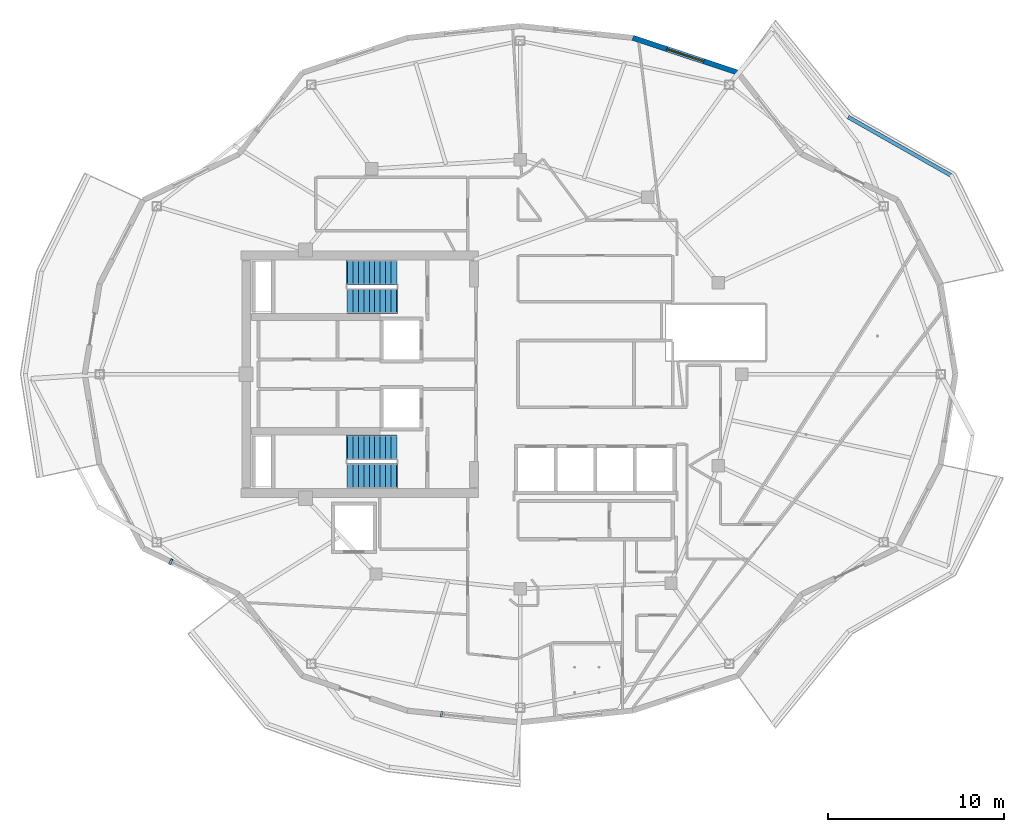
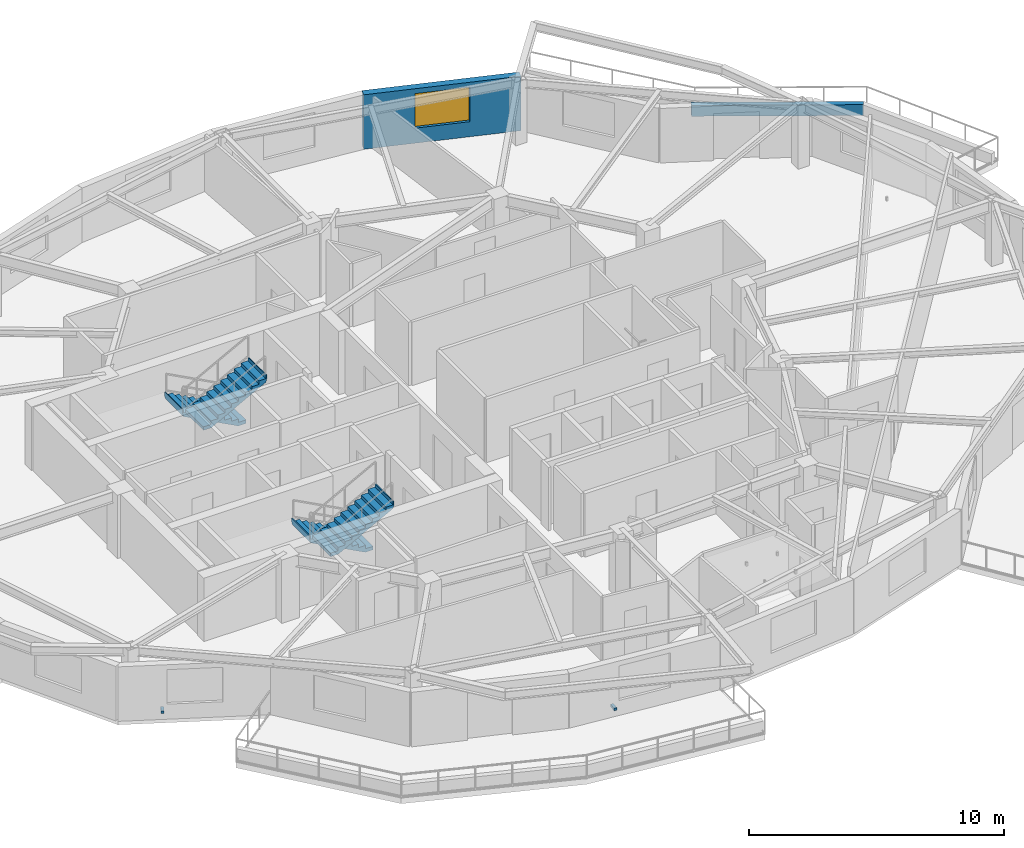
# One storey, part 7 of 14: 4 stair flights, 2 discrete accessories, 2 walls, 1 window, 1 opening, 2 elements without a shape of their own.
"""IFC4 building model written with IfcOpenShell, lengths in metres."""

from ifc_helpers import new_model, si_unit, direction, frame, frame_2d, origin, origin_2d, place, context, subcontext, project, spatial, polyline, rectangle, outline, extrude, material, layer, layer_set, type_object, element, fill, aggregate, save


model = new_model("IFC4")

# Units and contexts
model_context = context("Model", 3, precision=1e-05, world=origin(), true_north=direction((0.0, 1.0)))
body_context = subcontext(model_context, "Body", "Model", "MODEL_VIEW")
ifc_project = project(units=[si_unit("LENGTHUNIT", "METRE"), si_unit("AREAUNIT", "SQUARE_METRE"), si_unit("VOLUMEUNIT", "CUBIC_METRE"), si_unit("PLANEANGLEUNIT", "RADIAN"), si_unit("MASSUNIT", "GRAM", prefix="KILO")], contexts=[model_context])

# Site, building, storey
site_placement = place(None, origin())
site = spatial("IfcSite", under=ifc_project, at=site_placement, CompositionType="ELEMENT")
building_placement = place(site_placement, origin())
building = spatial("IfcBuilding", under=site, at=building_placement, Name="Kolvaren Gate Tower and Convention Centre", CompositionType="ELEMENT")
storey_placement = place(building_placement, frame((0.0, 0.0, 209.60009765625)))
storey = spatial("IfcBuildingStorey", under=building, at=storey_placement, Name="L55", CompositionType="ELEMENT", Elevation=209.60009765625)

# Wall
ifc_material_1 = material(Name="Piedmont Cream Honed Limestone Cladding", Category="masonry")
ifc_layer_1 = layer(ifc_material_1, 0.219970703125)
ifc_layer_set_1 = layer_set([ifc_layer_1], Name="Piedmont Cream Honed Limestone Cladding")
wall_type_1 = type_object("IfcWallType", Name="ARCH-WL-PLANTER-220", PredefinedType="PARAPET", material=ifc_layer_set_1)
wall_1_placement = place(storey_placement, frame((48.7763671875, 41.61669921875, 0.0), z_axis=(0.0, 0.0, 1.0), x_axis=(0.869860619267, -0.493297580623, 0.0)))
element("IfcWall", 1, at=wall_1_placement, inside=storey, type_object=wall_type_1, Name="Vertical-Forest Balcony Stone Planter Kerb PK-L55-1.2", PredefinedType="PARAPET", context=body_context, shape_type="SweptSolid", body=[
    extrude(rectangle(XDim=6.74267578125, YDim=0.219970703125, at=frame_2d((3.371337890625, 0.0))), origin(), (0.0, 0.0, 1.0), 0.52001953125),
])

# Wall, opening, window
ifc_layer_2 = layer(ifc_material_1, 0.300048828125)
ifc_layer_set_2 = layer_set([ifc_layer_2], Name="Piedmont Cream Honed Limestone Cladding")
wall_type_2 = type_object("IfcWallType", Name="ARCH-WL-STONE-300", PredefinedType="SOLIDWALL", material=ifc_layer_set_2)
wall_2_placement = place(storey_placement, frame((36.53076171875, 46.125244140625, 0.0), z_axis=(0.0, 0.0, 1.0), x_axis=(0.949240877604, -0.314550085495, 0.0)))
wall_2 = element("IfcWall", 2, at=wall_2_placement, inside=storey, type_object=wall_type_2, Name="Tower L55 Honed Stone Spandrel Wall EW-04", PredefinedType="SOLIDWALL", context=body_context, shape_type="SweptSolid", body=[
    extrude(rectangle(XDim=6.288330078125, YDim=0.300048828125, at=frame_2d((3.14404296875, 0.0))), origin(), (0.0, 0.0, 1.0), 2.60498046875),
])
opening_placement = place(wall_2_placement, frame((2.0439453125, 0.0, 0.719970703125)))
opening = element("IfcOpeningElement", 3, at=opening_placement, cuts=wall_2, Name="Opening W-03", PredefinedType="OPENING", context=body_context, shape_type="SweptSolid", body=[
    extrude(rectangle(XDim=2.199951171875, YDim=1.64990234375, at=frame_2d((1.10009765625, 0.824951171875))), frame((0.0, 0.159912109375, 0.0), z_axis=(0.0, -1.0, 0.0), x_axis=(1.0, 0.0, 0.0)), (0.0, 0.0, 1.0), 0.320068359375),
])
ifc_material_2 = material(Name="Low-E Triple Insulated Glazing Unit 44 mm", Category="glass")
window_type = type_object("IfcWindowType", Name="ARCH-WN-RES-2200", PartitioningType="SINGLE_PANEL", PredefinedType="WINDOW", material=ifc_material_2)
window_placement = place(opening_placement, origin())
window = element("IfcWindow", 4, at=window_placement, inside=storey, type_object=window_type, Name="Tower L55 Punched Stone Facade Window W-04", OverallHeight=1.64990234375, OverallWidth=2.199951171875, PartitioningType="SINGLE_PANEL", PredefinedType="WINDOW", context=body_context, shape_type="SweptSolid", body=[
    extrude(rectangle(XDim=2.199951171875, YDim=1.64990234375, at=frame_2d((1.10009765625, 0.824951171875))), frame((0.0, 0.030029296875, 0.0), z_axis=(0.0, -1.0, 0.0), x_axis=(1.0, 0.0, 0.0)), (0.0, 0.0, 1.0), 0.06005859375),
])
fill(opening, window)

# Stair, stair flights
ifc_material_3 = material(Name="Concrete C50/60", Category="concrete")
stair_type = type_object("IfcStairType", Name="STR-STAIR-CORE", PredefinedType="HALF_TURN_STAIR", material=ifc_material_3)
stair_1_placement = place(storey_placement, origin())
stair_1 = element("IfcStair", 5, at=stair_1_placement, inside=storey, type_object=stair_type, Name="L55 Tower North Exit Stair ST-T1", PredefinedType="HALF_TURN_STAIR")
stair_flight_type = type_object("IfcStairFlightType", Name="STR-SFL-1420", PredefinedType="STRAIGHT", material=ifc_material_3)
stair_flight_1_placement = place(storey_placement, frame((23.10009765625, 32.7900390625, 0.0), z_axis=(0.0, 0.0, 1.0), x_axis=(-1.0, 0.0, 0.0)))
stair_flight_1 = element("IfcStairFlight", 6, at=stair_flight_1_placement, type_object=stair_flight_type, Name="ST-T1 flight 1", NumberOfRisers=10, NumberOfTreads=9, PredefinedType="STRAIGHT", RiserHeight=0.165, TreadLength=0.31, context=body_context, shape_type="SweptSolid", body=[
    extrude(outline(polyline([(-0.034912109375, 0.0), (-0.034912109375, 0.1650390625), (0.31005859375, 0.1650390625), (0.31005859375, 0.330078125), (0.6201171875, 0.330078125), (0.6201171875, 0.4951171875), (0.929931640625, 0.4951171875), (0.929931640625, 0.659912109375), (1.239990234375, 0.659912109375), (1.239990234375, 0.824951171875), (1.550048828125, 0.824951171875), (1.550048828125, 0.989990234375), (1.860107421875, 0.989990234375), (1.860107421875, 1.155029296875), (2.169921875, 1.155029296875), (2.169921875, 1.320068359375), (2.47998046875, 1.320068359375), (2.47998046875, 1.485107421875), (2.7900390625, 1.485107421875), (2.7900390625, 1.64990234375), (2.8349609375, 1.64990234375), (2.8349609375, 1.489990234375), (2.7900390625, 1.315185546875), (0.319091796875, 0.0), (-0.034912109375, 0.0)])), frame((0.0, 0.7099609375, 0.0), z_axis=(0.0, -1.0, 0.0), x_axis=(1.0, 0.0, 0.0)), (0.0, 0.0, 1.0), 1.419921875),
])
stair_flight_2_placement = place(storey_placement, frame((20.31005859375, 31.169921875, 1.64990234375), z_axis=(0.0, 0.0, 1.0), x_axis=(1.0, 0.0, 0.0)))
stair_flight_2 = element("IfcStairFlight", 7, at=stair_flight_2_placement, type_object=stair_flight_type, Name="ST-T1 flight 2", NumberOfRisers=10, NumberOfTreads=9, PredefinedType="STRAIGHT", RiserHeight=0.165, TreadLength=0.31, context=body_context, shape_type="SweptSolid", body=[
    extrude(outline(polyline([(-0.034912109375, 0.0), (-0.034912109375, 0.1650390625), (0.31005859375, 0.1650390625), (0.31005859375, 0.330078125), (0.6201171875, 0.330078125), (0.6201171875, 0.4951171875), (0.929931640625, 0.4951171875), (0.929931640625, 0.659912109375), (1.239990234375, 0.659912109375), (1.239990234375, 0.824951171875), (1.550048828125, 0.824951171875), (1.550048828125, 0.989990234375), (1.860107421875, 0.989990234375), (1.860107421875, 1.155029296875), (2.169921875, 1.155029296875), (2.169921875, 1.320068359375), (2.47998046875, 1.320068359375), (2.47998046875, 1.485107421875), (2.7900390625, 1.485107421875), (2.7900390625, 1.64990234375), (2.8349609375, 1.64990234375), (2.8349609375, 1.489990234375), (2.7900390625, 1.315185546875), (0.319091796875, 0.0), (-0.034912109375, 0.0)])), frame((0.0, 0.7099609375, 0.0), z_axis=(0.0, -1.0, 0.0), x_axis=(1.0, 0.0, 0.0)), (0.0, 0.0, 1.0), 1.419921875),
])
aggregate(stair_1, [stair_flight_1, stair_flight_2])

stair_2_placement = place(storey_placement, origin())
stair_2 = element("IfcStair", 8, at=stair_2_placement, inside=storey, type_object=stair_type, Name="L55 Tower South Exit Stair ST-T2", PredefinedType="HALF_TURN_STAIR")
stair_flight_3_placement = place(storey_placement, frame((23.10009765625, 22.830078125, 0.0), z_axis=(0.0, 0.0, 1.0), x_axis=(-1.0, 0.0, 0.0)))
stair_flight_3 = element("IfcStairFlight", 9, at=stair_flight_3_placement, type_object=stair_flight_type, Name="ST-T2 flight 1", NumberOfRisers=10, NumberOfTreads=9, PredefinedType="STRAIGHT", RiserHeight=0.165, TreadLength=0.31, context=body_context, shape_type="SweptSolid", body=[
    extrude(outline(polyline([(-0.034912109375, 0.0), (-0.034912109375, 0.1650390625), (0.31005859375, 0.1650390625), (0.31005859375, 0.330078125), (0.6201171875, 0.330078125), (0.6201171875, 0.4951171875), (0.929931640625, 0.4951171875), (0.929931640625, 0.659912109375), (1.239990234375, 0.659912109375), (1.239990234375, 0.824951171875), (1.550048828125, 0.824951171875), (1.550048828125, 0.989990234375), (1.860107421875, 0.989990234375), (1.860107421875, 1.155029296875), (2.169921875, 1.155029296875), (2.169921875, 1.320068359375), (2.47998046875, 1.320068359375), (2.47998046875, 1.485107421875), (2.7900390625, 1.485107421875), (2.7900390625, 1.64990234375), (2.8349609375, 1.64990234375), (2.8349609375, 1.489990234375), (2.7900390625, 1.315185546875), (0.319091796875, 0.0), (-0.034912109375, 0.0)])), frame((0.0, 0.7099609375, 0.0), z_axis=(0.0, -1.0, 0.0), x_axis=(1.0, 0.0, 0.0)), (0.0, 0.0, 1.0), 1.419921875),
])
stair_flight_4_placement = place(storey_placement, frame((20.31005859375, 21.2099609375, 1.64990234375), z_axis=(0.0, 0.0, 1.0), x_axis=(1.0, 0.0, 0.0)))
stair_flight_4 = element("IfcStairFlight", 10, at=stair_flight_4_placement, type_object=stair_flight_type, Name="ST-T2 flight 2", NumberOfRisers=10, NumberOfTreads=9, PredefinedType="STRAIGHT", RiserHeight=0.165, TreadLength=0.31, context=body_context, shape_type="SweptSolid", body=[
    extrude(outline(polyline([(-0.034912109375, 0.0), (-0.034912109375, 0.1650390625), (0.31005859375, 0.1650390625), (0.31005859375, 0.330078125), (0.6201171875, 0.330078125), (0.6201171875, 0.4951171875), (0.929931640625, 0.4951171875), (0.929931640625, 0.659912109375), (1.239990234375, 0.659912109375), (1.239990234375, 0.824951171875), (1.550048828125, 0.824951171875), (1.550048828125, 0.989990234375), (1.860107421875, 0.989990234375), (1.860107421875, 1.155029296875), (2.169921875, 1.155029296875), (2.169921875, 1.320068359375), (2.47998046875, 1.320068359375), (2.47998046875, 1.485107421875), (2.7900390625, 1.485107421875), (2.7900390625, 1.64990234375), (2.8349609375, 1.64990234375), (2.8349609375, 1.489990234375), (2.7900390625, 1.315185546875), (0.319091796875, 0.0), (-0.034912109375, 0.0)])), frame((0.0, 0.7099609375, 0.0), z_axis=(0.0, -1.0, 0.0), x_axis=(1.0, 0.0, 0.0)), (0.0, 0.0, 1.0), 1.419921875),
])
aggregate(stair_2, [stair_flight_3, stair_flight_4])

# Discrete accessories
ifc_material_4 = material(Name="Anodized Architectural Aluminium Alloy 6063-T6", Category="aluminium")
discrete_accessory_type = type_object("IfcDiscreteAccessoryType", Name="ARCH-ACC-BRACKET-120", PredefinedType="BRACKET", material=ifc_material_4)
for number, where, z_axis, x_axis, name in (
    (11, (10.268310546875, 16.342041015625, 0.289794921875), (0.0, 0.0, 1.0), (0.90135914581, -0.433072384555, 0.0), "Ceramic Fin Wall Anchor Bracket FBK-L55-14"),
    (12, (25.66943359375, 7.669189453125, 0.289794921875), (0.0, 0.0, 1.0), (0.994498884311, -0.104747167526, 0.0), "Ceramic Fin Wall Anchor Bracket FBK-L55-17"),
):
    element("IfcDiscreteAccessory", number, at=place(storey_placement, frame(where, z_axis=z_axis, x_axis=x_axis)), inside=storey, type_object=discrete_accessory_type, Name=name, PredefinedType="BRACKET", context=body_context, shape_type="SweptSolid", body=[
        extrude(rectangle(XDim=0.1201171875, YDim=0.320068359375, at=origin_2d()), origin(), (0.0, 0.0, 1.0), 0.1201171875),
    ])

save(model, "model.ifc")
